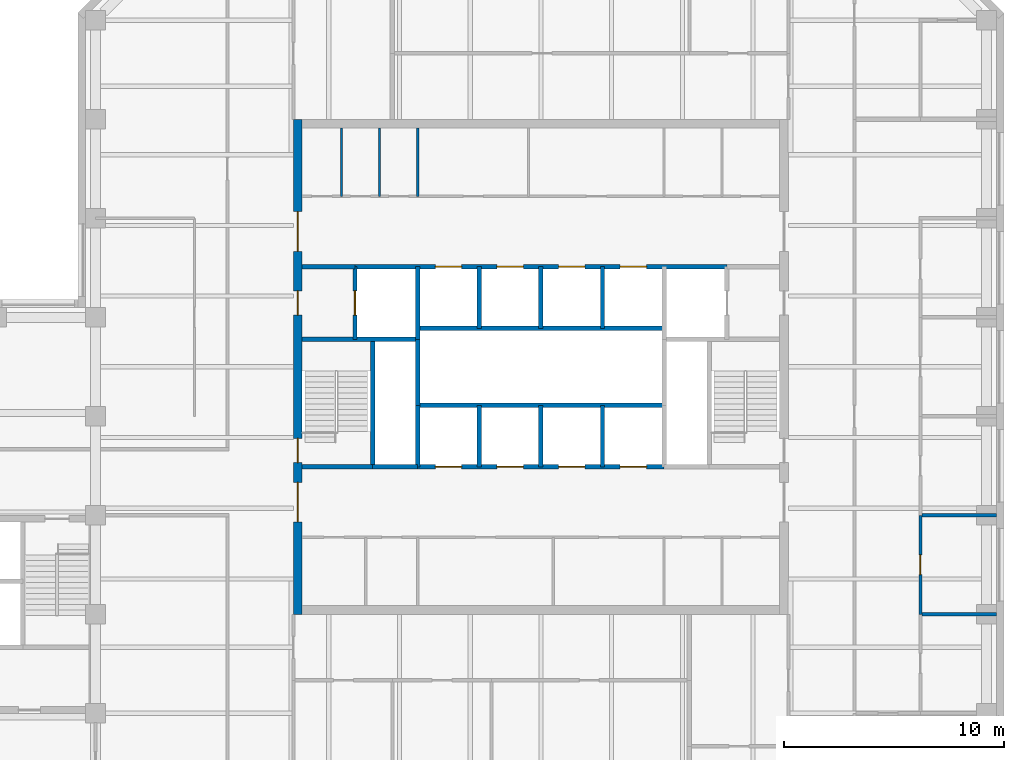
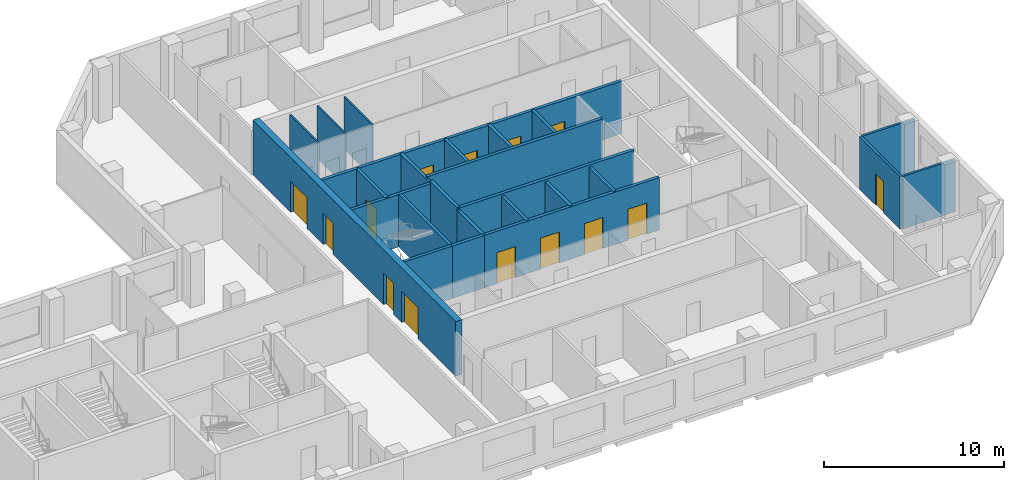
# One storey, part 5 of 9: 26 walls, 14 doors, 14 openings.
"""IFC4 building model written with IfcOpenShell, lengths in metres."""

from ifc_helpers import new_model, si_unit, direction, frame, frame_2d, origin, place, context, subcontext, project, spatial, rectangle, extrude, material, layer, layer_set, type_object, element, fill, save


model = new_model("IFC4")

# Units and contexts
model_context = context("Model", 3, precision=1e-05, world=origin(), true_north=direction((0.0, 1.0)))
body_context = subcontext(model_context, "Body", "Model", "MODEL_VIEW")
ifc_project = project(units=[si_unit("LENGTHUNIT", "METRE"), si_unit("AREAUNIT", "SQUARE_METRE"), si_unit("VOLUMEUNIT", "CUBIC_METRE"), si_unit("PLANEANGLEUNIT", "RADIAN"), si_unit("MASSUNIT", "GRAM", prefix="KILO")], contexts=[model_context])

# Site, building, storey
site_placement = place(None, origin())
site = spatial("IfcSite", under=ifc_project, at=site_placement, CompositionType="ELEMENT")
building_placement = place(site_placement, origin())
building = spatial("IfcBuilding", under=site, at=building_placement, Name="Quoin Convention Tower", CompositionType="ELEMENT")
storey_placement = place(building_placement, frame((0.0, 0.0, 177.300048828125)))
storey = spatial("IfcBuildingStorey", under=building, at=storey_placement, Name="L46", CompositionType="ELEMENT", Elevation=177.300048828125)

# Walls
ifc_material_1 = material(Name="Plasterboard")
ifc_layer_1 = layer(ifc_material_1, 0.012451171875, Name="Finish")
ifc_material_2 = material(Name="Steel stud framing", Category="steel")
ifc_layer_2 = layer(ifc_material_2, 0.125, Name="Structure")
ifc_layer_3 = layer(ifc_material_1, 0.012451171875, Name="Finish")
ifc_layer_set_1 = layer_set([ifc_layer_1, ifc_layer_2, ifc_layer_3], Name="Steel stud framing")
wall_type_1 = type_object("IfcWallType", Name="Acoustic partition 150", PredefinedType="PARTITIONING", material=ifc_layer_set_1)
for number, where, z_axis, x_axis, name in (
    (1, (73.574951171875, 49.5, 0.0), (0.0, 0.0, 1.0), (1.0, 0.0, 0.0), "pw-L46-009"),
    (2, (73.574951171875, 54.0, 0.0), (0.0, 0.0, 1.0), (1.0, 0.0, 0.0), "pw-L46-012"),
):
    element("IfcWall", number, at=place(storey_placement, frame(where, z_axis=z_axis, x_axis=x_axis)), inside=storey, type_object=wall_type_1, Name=name, PredefinedType="PARTITIONING", context=body_context, shape_type="SweptSolid", body=[
        extrude(rectangle(XDim=3.375, YDim=0.14990234375, at=frame_2d((1.6875, 0.0))), origin(), (0.0, 0.0, 1.0), 3.550048828125),
    ])

# Wall, opening, door
wall_1_placement = place(storey_placement, frame((73.5, 49.5, 0.0), z_axis=(0.0, 0.0, 1.0), x_axis=(0.0, 1.0, 0.0)))
wall_1 = element("IfcWall", 3, at=wall_1_placement, inside=storey, type_object=wall_type_1, Name="pw-L46-041", PredefinedType="PARTITIONING", context=body_context, shape_type="SweptSolid", body=[
    extrude(rectangle(XDim=4.5, YDim=0.14990234375, at=frame_2d((2.25, 0.0))), origin(), (0.0, 0.0, 1.0), 3.550048828125),
])
opening_1_placement = place(wall_1_placement, frame((1.800048828125, 0.0, 0.0)))
opening_1 = element("IfcOpeningElement", 4, at=opening_1_placement, cuts=wall_1, Name="Opening DOH5-15", PredefinedType="OPENING", context=body_context, shape_type="SweptSolid", body=[
    extrude(rectangle(XDim=0.89990234375, YDim=2.10009765625, at=frame_2d((0.449951171875, 1.050048828125))), frame((0.0, 0.0849609375, 0.0), z_axis=(0.0, -1.0, 0.0), x_axis=(1.0, 0.0, 0.0)), (0.0, 0.0, 1.0), 0.169921875),
])
ifc_material_3 = material(Name="Steel door leaf", Category="steel")
door_type_1 = type_object("IfcDoorType", Name="Office door 900 x 2100", OperationType="SINGLE_SWING_RIGHT", PredefinedType="DOOR", material=ifc_material_3)
door_1_placement = place(opening_1_placement, origin())
door_1 = element("IfcDoor", 5, at=door_1_placement, inside=storey, type_object=door_type_1, Name="dr-L46-21", OperationType="SINGLE_SWING_RIGHT", OverallHeight=2.10009765625, OverallWidth=0.89990234375, PredefinedType="DOOR", context=body_context, shape_type="SweptSolid", body=[
    extrude(rectangle(XDim=0.89990234375, YDim=2.10009765625, at=frame_2d((0.449951171875, 1.050048828125))), frame((0.0, 0.02490234375, 0.0), z_axis=(0.0, -1.0, 0.0), x_axis=(1.0, 0.0, 0.0)), (0.0, 0.0, 1.0), 0.050048828125),
])
fill(opening_1, door_1)

# Walls
ifc_layer_4 = layer(ifc_material_1, 0.012451171875, Name="Finish")
ifc_layer_5 = layer(ifc_material_2, 0.074951171875, Name="Structure")
ifc_layer_6 = layer(ifc_material_1, 0.012451171875, Name="Finish")
ifc_layer_set_2 = layer_set([ifc_layer_4, ifc_layer_5, ifc_layer_6], Name="Steel stud framing")
wall_type_2 = type_object("IfcWallType", Name="Core partition wall", PredefinedType="PARTITIONING", material=ifc_layer_set_2)
for number, where, z_axis, x_axis, name in (
    (6, (47.18505859375, 68.5, 0.0), (0.0, 0.0, 1.0), (0.0, 1.0, 0.0), "cr-C1-L46-v2185_19000"),
    (7, (48.91748046875, 68.5, 0.0), (0.0, 0.0, 1.0), (0.0, 1.0, 0.0), "cr-C1-L46-v3918_19000"),
    (8, (50.64990234375, 68.5, 0.0), (0.0, 0.0, 1.0), (0.0, 1.0, 0.0), "cr-C1-L46-v5650_19000"),
):
    element("IfcWall", number, at=place(storey_placement, frame(where, z_axis=z_axis, x_axis=x_axis)), inside=storey, type_object=wall_type_2, Name=name, PredefinedType="PARTITIONING", context=body_context, shape_type="SweptSolid", body=[
        extrude(rectangle(XDim=3.10009765625, YDim=0.10009765625, at=frame_2d((1.550048828125, 0.0))), origin(), (0.0, 0.0, 1.0), 3.550048828125),
    ])
ifc_material_4 = material(Name="Concrete C50", Category="concrete")
ifc_layer_7 = layer(ifc_material_4, 0.199951171875)
ifc_layer_set_3 = layer_set([ifc_layer_7], Name="Concrete C50")
wall_type_3 = type_object("IfcWallType", Name="Core shaft wall", PredefinedType="SOLIDWALL", material=ifc_layer_set_3)
wall_2_placement = place(storey_placement, frame((48.60009765625, 56.199951171875, 0.0), z_axis=(0.0, 0.0, 1.0), x_axis=(1.0, 0.0, 0.0)))
element("IfcWall", 9, at=wall_2_placement, inside=storey, type_object=wall_type_3, Name="cr-C1-L46-h6700_3600", PredefinedType="SOLIDWALL", context=body_context, shape_type="SweptSolid", body=[
    extrude(rectangle(XDim=2.0498046875, YDim=0.199951171875, at=frame_2d((1.02490234375, 0.0))), origin(), (0.0, 0.0, 1.0), 3.550048828125),
])
wall_3_placement = place(storey_placement, frame((45.39990234375, 56.199951171875, 0.0), z_axis=(0.0, 0.0, 1.0), x_axis=(1.0, 0.0, 0.0)))
element("IfcWall", 10, at=wall_3_placement, inside=storey, type_object=wall_type_3, Name="cr-C1-L46-h6700_400", PredefinedType="SOLIDWALL", context=body_context, shape_type="SweptSolid", body=[
    extrude(rectangle(XDim=3.2001953125, YDim=0.199951171875, at=frame_2d((1.60009765625, 0.0))), origin(), (0.0, 0.0, 1.0), 3.550048828125),
])

# Wall, openings, doors
wall_4_placement = place(storey_placement, frame((50.64990234375, 56.199951171875, 0.0), z_axis=(0.0, 0.0, 1.0), x_axis=(1.0, 0.0, 0.0)))
wall_4 = element("IfcWall", 11, at=wall_4_placement, inside=storey, type_object=wall_type_3, Name="cr-C1-L46-h6700_5650", PredefinedType="SOLIDWALL", context=body_context, shape_type="SweptSolid", body=[
    extrude(rectangle(XDim=11.2001953125, YDim=0.199951171875, at=frame_2d((5.60009765625, 0.0))), origin(), (0.0, 0.0, 1.0), 3.550048828125),
])
opening_2_placement = place(wall_4_placement, frame((0.800048828125, 0.0, 0.0)))
opening_2 = element("IfcOpeningElement", 12, at=opening_2_placement, cuts=wall_4, Name="Opening LDH1", PredefinedType="OPENING", context=body_context, shape_type="SweptSolid", body=[
    extrude(rectangle(XDim=1.199951171875, YDim=2.10009765625, at=frame_2d((0.60009765625, 1.050048828125))), frame((0.0, 0.10986328125, 0.0), z_axis=(0.0, -1.0, 0.0), x_axis=(1.0, 0.0, 0.0)), (0.0, 0.0, 1.0), 0.219970703125),
])
opening_3_placement = place(wall_4_placement, frame((3.60009765625, 0.0, 0.0)))
opening_3 = element("IfcOpeningElement", 13, at=opening_3_placement, cuts=wall_4, Name="Opening LDH2", PredefinedType="OPENING", context=body_context, shape_type="SweptSolid", body=[
    extrude(rectangle(XDim=1.199951171875, YDim=2.10009765625, at=frame_2d((0.60009765625, 1.050048828125))), frame((0.0, 0.10986328125, 0.0), z_axis=(0.0, -1.0, 0.0), x_axis=(1.0, 0.0, 0.0)), (0.0, 0.0, 1.0), 0.219970703125),
])
opening_4_placement = place(wall_4_placement, frame((6.39990234375, 0.0, 0.0)))
opening_4 = element("IfcOpeningElement", 14, at=opening_4_placement, cuts=wall_4, Name="Opening LDH3", PredefinedType="OPENING", context=body_context, shape_type="SweptSolid", body=[
    extrude(rectangle(XDim=1.199951171875, YDim=2.10009765625, at=frame_2d((0.60009765625, 1.050048828125))), frame((0.0, 0.10986328125, 0.0), z_axis=(0.0, -1.0, 0.0), x_axis=(1.0, 0.0, 0.0)), (0.0, 0.0, 1.0), 0.219970703125),
])
opening_5_placement = place(wall_4_placement, frame((9.199951171875, 0.0, 0.0)))
opening_5 = element("IfcOpeningElement", 15, at=opening_5_placement, cuts=wall_4, Name="Opening LDH4", PredefinedType="OPENING", context=body_context, shape_type="SweptSolid", body=[
    extrude(rectangle(XDim=1.199951171875, YDim=2.10009765625, at=frame_2d((0.60009765625, 1.050048828125))), frame((0.0, 0.10986328125, 0.0), z_axis=(0.0, -1.0, 0.0), x_axis=(1.0, 0.0, 0.0)), (0.0, 0.0, 1.0), 0.219970703125),
])
door_type_2 = type_object("IfcDoorType", Name="Lift landing door 1200 x 2100", OperationType="DOUBLE_DOOR_SLIDING", PredefinedType="DOOR", material=ifc_material_3)
door_2_placement = place(opening_2_placement, origin())
door_2 = element("IfcDoor", 16, at=door_2_placement, inside=storey, type_object=door_type_2, Name="cd-C1-L46-R20-lobA-LDH1", OperationType="DOUBLE_DOOR_SLIDING", OverallHeight=2.10009765625, OverallWidth=1.199951171875, PredefinedType="DOOR", context=body_context, shape_type="SweptSolid", body=[
    extrude(rectangle(XDim=1.199951171875, YDim=2.10009765625, at=frame_2d((0.60009765625, 1.050048828125))), frame((0.0, 0.02490234375, 0.0), z_axis=(0.0, -1.0, 0.0), x_axis=(1.0, 0.0, 0.0)), (0.0, 0.0, 1.0), 0.050048828125),
])
fill(opening_2, door_2)
door_3_placement = place(opening_3_placement, origin())
door_3 = element("IfcDoor", 17, at=door_3_placement, inside=storey, type_object=door_type_2, Name="cd-C1-L46-R21-lobA-LDH2", OperationType="DOUBLE_DOOR_SLIDING", OverallHeight=2.10009765625, OverallWidth=1.199951171875, PredefinedType="DOOR", context=body_context, shape_type="SweptSolid", body=[
    extrude(rectangle(XDim=1.199951171875, YDim=2.10009765625, at=frame_2d((0.60009765625, 1.050048828125))), frame((0.0, 0.02490234375, 0.0), z_axis=(0.0, -1.0, 0.0), x_axis=(1.0, 0.0, 0.0)), (0.0, 0.0, 1.0), 0.050048828125),
])
fill(opening_3, door_3)
door_4_placement = place(opening_4_placement, origin())
door_4 = element("IfcDoor", 18, at=door_4_placement, inside=storey, type_object=door_type_2, Name="cd-C1-L46-R22-lobA-LDH3", OperationType="DOUBLE_DOOR_SLIDING", OverallHeight=2.10009765625, OverallWidth=1.199951171875, PredefinedType="DOOR", context=body_context, shape_type="SweptSolid", body=[
    extrude(rectangle(XDim=1.199951171875, YDim=2.10009765625, at=frame_2d((0.60009765625, 1.050048828125))), frame((0.0, 0.02490234375, 0.0), z_axis=(0.0, -1.0, 0.0), x_axis=(1.0, 0.0, 0.0)), (0.0, 0.0, 1.0), 0.050048828125),
])
fill(opening_4, door_4)
door_5_placement = place(opening_5_placement, origin())
door_5 = element("IfcDoor", 19, at=door_5_placement, inside=storey, type_object=door_type_2, Name="cd-C1-L46-R23-lobA-LDH4", OperationType="DOUBLE_DOOR_SLIDING", OverallHeight=2.10009765625, OverallWidth=1.199951171875, PredefinedType="DOOR", context=body_context, shape_type="SweptSolid", body=[
    extrude(rectangle(XDim=1.199951171875, YDim=2.10009765625, at=frame_2d((0.60009765625, 1.050048828125))), frame((0.0, 0.02490234375, 0.0), z_axis=(0.0, -1.0, 0.0), x_axis=(1.0, 0.0, 0.0)), (0.0, 0.0, 1.0), 0.050048828125),
])
fill(opening_5, door_5)

# Walls
wall_5_placement = place(storey_placement, frame((45.39990234375, 62.0, 0.0), z_axis=(0.0, 0.0, 1.0), x_axis=(1.0, 0.0, 0.0)))
element("IfcWall", 20, at=wall_5_placement, inside=storey, type_object=wall_type_3, Name="cr-C1-L46-h12500_400", PredefinedType="SOLIDWALL", context=body_context, shape_type="SweptSolid", body=[
    extrude(rectangle(XDim=5.25, YDim=0.199951171875, at=frame_2d((2.625, 0.0))), origin(), (0.0, 0.0, 1.0), 3.550048828125),
])
wall_6_placement = place(storey_placement, frame((45.39990234375, 65.300048828125, 0.0), z_axis=(0.0, 0.0, 1.0), x_axis=(1.0, 0.0, 0.0)))
element("IfcWall", 21, at=wall_6_placement, inside=storey, type_object=wall_type_3, Name="cr-C1-L46-h15800_400", PredefinedType="SOLIDWALL", context=body_context, shape_type="SweptSolid", body=[
    extrude(rectangle(XDim=2.400146484375, YDim=0.199951171875, at=frame_2d((1.2001953125, 0.0))), origin(), (0.0, 0.0, 1.0), 3.550048828125),
])

# Wall, openings, doors
wall_7_placement = place(storey_placement, frame((47.800048828125, 65.300048828125, 0.0), z_axis=(0.0, 0.0, 1.0), x_axis=(1.0, 0.0, 0.0)))
wall_7 = element("IfcWall", 22, at=wall_7_placement, inside=storey, type_object=wall_type_3, Name="cr-C1-L46-h15800_2800", PredefinedType="SOLIDWALL", context=body_context, shape_type="SweptSolid", body=[
    extrude(rectangle(XDim=16.89990234375, YDim=0.199951171875, at=frame_2d((8.449951171875, 0.0))), origin(), (0.0, 0.0, 1.0), 3.550048828125),
])
opening_6_placement = place(wall_7_placement, frame((3.64990234375, 0.0, 0.0)))
opening_6 = element("IfcOpeningElement", 23, at=opening_6_placement, cuts=wall_7, Name="Opening LDH5", PredefinedType="OPENING", context=body_context, shape_type="SweptSolid", body=[
    extrude(rectangle(XDim=1.199951171875, YDim=2.10009765625, at=frame_2d((0.60009765625, 1.050048828125))), frame((0.0, 0.10986328125, 0.0), z_axis=(0.0, -1.0, 0.0), x_axis=(1.0, 0.0, 0.0)), (0.0, 0.0, 1.0), 0.219970703125),
])
opening_7_placement = place(wall_7_placement, frame((6.449951171875, 0.0, 0.0)))
opening_7 = element("IfcOpeningElement", 24, at=opening_7_placement, cuts=wall_7, Name="Opening LDH6", PredefinedType="OPENING", context=body_context, shape_type="SweptSolid", body=[
    extrude(rectangle(XDim=1.199951171875, YDim=2.10009765625, at=frame_2d((0.60009765625, 1.050048828125))), frame((0.0, 0.10986328125, 0.0), z_axis=(0.0, -1.0, 0.0), x_axis=(1.0, 0.0, 0.0)), (0.0, 0.0, 1.0), 0.219970703125),
])
opening_8_placement = place(wall_7_placement, frame((9.25, 0.0, 0.0)))
opening_8 = element("IfcOpeningElement", 25, at=opening_8_placement, cuts=wall_7, Name="Opening LDH7", PredefinedType="OPENING", context=body_context, shape_type="SweptSolid", body=[
    extrude(rectangle(XDim=1.199951171875, YDim=2.10009765625, at=frame_2d((0.60009765625, 1.050048828125))), frame((0.0, 0.10986328125, 0.0), z_axis=(0.0, -1.0, 0.0), x_axis=(1.0, 0.0, 0.0)), (0.0, 0.0, 1.0), 0.219970703125),
])
opening_9_placement = place(wall_7_placement, frame((12.050048828125, 0.0, 0.0)))
opening_9 = element("IfcOpeningElement", 26, at=opening_9_placement, cuts=wall_7, Name="Opening LDH8", PredefinedType="OPENING", context=body_context, shape_type="SweptSolid", body=[
    extrude(rectangle(XDim=1.199951171875, YDim=2.10009765625, at=frame_2d((0.60009765625, 1.050048828125))), frame((0.0, 0.10986328125, 0.0), z_axis=(0.0, -1.0, 0.0), x_axis=(1.0, 0.0, 0.0)), (0.0, 0.0, 1.0), 0.219970703125),
])
door_6_placement = place(opening_6_placement, origin())
door_6 = element("IfcDoor", 27, at=door_6_placement, inside=storey, type_object=door_type_2, Name="cd-C1-L46-R30-lobB-LDH5", OperationType="DOUBLE_DOOR_SLIDING", OverallHeight=2.10009765625, OverallWidth=1.199951171875, PredefinedType="DOOR", context=body_context, shape_type="SweptSolid", body=[
    extrude(rectangle(XDim=1.199951171875, YDim=2.10009765625, at=frame_2d((0.60009765625, 1.050048828125))), frame((0.0, 0.02490234375, 0.0), z_axis=(0.0, -1.0, 0.0), x_axis=(1.0, 0.0, 0.0)), (0.0, 0.0, 1.0), 0.050048828125),
])
fill(opening_6, door_6)
door_7_placement = place(opening_7_placement, origin())
door_7 = element("IfcDoor", 28, at=door_7_placement, inside=storey, type_object=door_type_2, Name="cd-C1-L46-R31-lobB-LDH6", OperationType="DOUBLE_DOOR_SLIDING", OverallHeight=2.10009765625, OverallWidth=1.199951171875, PredefinedType="DOOR", context=body_context, shape_type="SweptSolid", body=[
    extrude(rectangle(XDim=1.199951171875, YDim=2.10009765625, at=frame_2d((0.60009765625, 1.050048828125))), frame((0.0, 0.02490234375, 0.0), z_axis=(0.0, -1.0, 0.0), x_axis=(1.0, 0.0, 0.0)), (0.0, 0.0, 1.0), 0.050048828125),
])
fill(opening_7, door_7)
door_8_placement = place(opening_8_placement, origin())
door_8 = element("IfcDoor", 29, at=door_8_placement, inside=storey, type_object=door_type_2, Name="cd-C1-L46-R32-lobB-LDH7", OperationType="DOUBLE_DOOR_SLIDING", OverallHeight=2.10009765625, OverallWidth=1.199951171875, PredefinedType="DOOR", context=body_context, shape_type="SweptSolid", body=[
    extrude(rectangle(XDim=1.199951171875, YDim=2.10009765625, at=frame_2d((0.60009765625, 1.050048828125))), frame((0.0, 0.02490234375, 0.0), z_axis=(0.0, -1.0, 0.0), x_axis=(1.0, 0.0, 0.0)), (0.0, 0.0, 1.0), 0.050048828125),
])
fill(opening_8, door_8)
door_9_placement = place(opening_9_placement, origin())
door_9 = element("IfcDoor", 30, at=door_9_placement, inside=storey, type_object=door_type_2, Name="cd-C1-L46-R33-lobB-LDH8", OperationType="DOUBLE_DOOR_SLIDING", OverallHeight=2.10009765625, OverallWidth=1.199951171875, PredefinedType="DOOR", context=body_context, shape_type="SweptSolid", body=[
    extrude(rectangle(XDim=1.199951171875, YDim=2.10009765625, at=frame_2d((0.60009765625, 1.050048828125))), frame((0.0, 0.02490234375, 0.0), z_axis=(0.0, -1.0, 0.0), x_axis=(1.0, 0.0, 0.0)), (0.0, 0.0, 1.0), 0.050048828125),
])
fill(opening_9, door_9)

# Wall, opening, door
wall_8_placement = place(storey_placement, frame((47.800048828125, 62.0, 0.0), z_axis=(0.0, 0.0, 1.0), x_axis=(0.0, 1.0, 0.0)))
wall_8 = element("IfcWall", 31, at=wall_8_placement, inside=storey, type_object=wall_type_3, Name="cr-C1-L46-v2800_12500", PredefinedType="SOLIDWALL", context=body_context, shape_type="SweptSolid", body=[
    extrude(rectangle(XDim=3.300048828125, YDim=0.199951171875, at=frame_2d((1.64990234375, 0.0))), origin(), (0.0, 0.0, 1.0), 3.550048828125),
])
opening_10_placement = place(wall_8_placement, frame((1.10009765625, 0.0, 0.0)))
opening_10 = element("IfcOpeningElement", 32, at=opening_10_placement, cuts=wall_8, Name="Opening LDFL1", PredefinedType="OPENING", context=body_context, shape_type="SweptSolid", body=[
    extrude(rectangle(XDim=1.10009765625, YDim=2.10009765625, at=frame_2d((0.550048828125, 1.050048828125))), frame((0.0, 0.10986328125, 0.0), z_axis=(0.0, -1.0, 0.0), x_axis=(1.0, 0.0, 0.0)), (0.0, 0.0, 1.0), 0.219970703125),
])
door_type_3 = type_object("IfcDoorType", Name="Lift landing door 1100 x 2100", OperationType="DOUBLE_DOOR_SLIDING", PredefinedType="DOOR", material=ifc_material_3)
door_10_placement = place(opening_10_placement, origin())
door_10 = element("IfcDoor", 33, at=door_10_placement, inside=storey, type_object=door_type_3, Name="cd-C1-L46-FLW-FFW-LDFL1", OperationType="DOUBLE_DOOR_SLIDING", OverallHeight=2.10009765625, OverallWidth=1.10009765625, PredefinedType="DOOR", context=body_context, shape_type="SweptSolid", body=[
    extrude(rectangle(XDim=1.10009765625, YDim=2.10009765625, at=frame_2d((0.550048828125, 1.050048828125))), frame((0.0, 0.02490234375, 0.0), z_axis=(0.0, -1.0, 0.0), x_axis=(1.0, 0.0, 0.0)), (0.0, 0.0, 1.0), 0.050048828125),
])
fill(opening_10, door_10)

# Walls
wall_9_placement = place(storey_placement, frame((48.60009765625, 56.199951171875, 0.0), z_axis=(0.0, 0.0, 1.0), x_axis=(0.0, 1.0, 0.0)))
element("IfcWall", 34, at=wall_9_placement, inside=storey, type_object=wall_type_3, Name="cr-C1-L46-v3600_6700", PredefinedType="SOLIDWALL", context=body_context, shape_type="SweptSolid", body=[
    extrude(rectangle(XDim=5.800048828125, YDim=0.199951171875, at=frame_2d((2.89990234375, 0.0))), origin(), (0.0, 0.0, 1.0), 3.550048828125),
])
wall_10_placement = place(storey_placement, frame((50.64990234375, 56.199951171875, 0.0), z_axis=(0.0, 0.0, 1.0), x_axis=(0.0, 1.0, 0.0)))
element("IfcWall", 35, at=wall_10_placement, inside=storey, type_object=wall_type_3, Name="cr-C1-L46-v5650_6700", PredefinedType="SOLIDWALL", context=body_context, shape_type="SweptSolid", body=[
    extrude(rectangle(XDim=2.800048828125, YDim=0.199951171875, at=frame_2d((1.39990234375, 0.0))), origin(), (0.0, 0.0, 1.0), 3.550048828125),
])
wall_11_placement = place(storey_placement, frame((50.64990234375, 62.0, 0.0), z_axis=(0.0, 0.0, 1.0), x_axis=(0.0, 1.0, 0.0)))
element("IfcWall", 36, at=wall_11_placement, inside=storey, type_object=wall_type_3, Name="cr-C1-L46-v5650_12500", PredefinedType="SOLIDWALL", context=body_context, shape_type="SweptSolid", body=[
    extrude(rectangle(XDim=3.300048828125, YDim=0.199951171875, at=frame_2d((1.64990234375, 0.0))), origin(), (0.0, 0.0, 1.0), 3.550048828125),
])
for number, where, z_axis, x_axis, name in (
    (37, (53.449951171875, 56.199951171875, 0.0), (0.0, 0.0, 1.0), (0.0, 1.0, 0.0), "cr-C1-L46-v8450_6700"),
    (38, (53.449951171875, 62.5, 0.0), (0.0, 0.0, 1.0), (0.0, 1.0, 0.0), "cr-C1-L46-v8450_13000"),
    (39, (56.25, 56.199951171875, 0.0), (0.0, 0.0, 1.0), (0.0, 1.0, 0.0), "cr-C1-L46-v11250_6700"),
    (40, (56.25, 62.5, 0.0), (0.0, 0.0, 1.0), (0.0, 1.0, 0.0), "cr-C1-L46-v11250_13000"),
    (41, (59.050048828125, 56.199951171875, 0.0), (0.0, 0.0, 1.0), (0.0, 1.0, 0.0), "cr-C1-L46-v14050_6700"),
    (42, (59.050048828125, 62.5, 0.0), (0.0, 0.0, 1.0), (0.0, 1.0, 0.0), "cr-C1-L46-v14050_13000"),
):
    element("IfcWall", number, at=place(storey_placement, frame(where, z_axis=z_axis, x_axis=x_axis)), inside=storey, type_object=wall_type_3, Name=name, PredefinedType="SOLIDWALL", context=body_context, shape_type="SweptSolid", body=[
        extrude(rectangle(XDim=2.800048828125, YDim=0.199951171875, at=frame_2d((1.39990234375, 0.0))), origin(), (0.0, 0.0, 1.0), 3.550048828125),
    ])
ifc_layer_8 = layer(ifc_material_4, 0.199951171875)
ifc_layer_set_4 = layer_set([ifc_layer_8], Name="Concrete C50")
wall_type_4 = type_object("IfcWallType", Name="Core shaft wall to the floor level over", PredefinedType="SOLIDWALL", material=ifc_layer_set_4)
for number, where, z_axis, x_axis, name in (
    (43, (50.64990234375, 59.0, 0.0), (0.0, 0.0, 1.0), (1.0, 0.0, 0.0), "cr-C1-L46-h9500_5650"),
    (44, (50.64990234375, 62.5, 0.0), (0.0, 0.0, 1.0), (1.0, 0.0, 0.0), "cr-C1-L46-h13000_5650"),
):
    element("IfcWall", number, at=place(storey_placement, frame(where, z_axis=z_axis, x_axis=x_axis)), inside=storey, type_object=wall_type_4, Name=name, PredefinedType="SOLIDWALL", context=body_context, shape_type="SweptSolid", body=[
        extrude(rectangle(XDim=11.2001953125, YDim=0.199951171875, at=frame_2d((5.60009765625, 0.0))), origin(), (0.0, 0.0, 1.0), 3.699951171875),
    ])
wall_12_placement = place(storey_placement, frame((50.64990234375, 59.0, 0.0), z_axis=(0.0, 0.0, 1.0), x_axis=(0.0, 1.0, 0.0)))
element("IfcWall", 45, at=wall_12_placement, inside=storey, type_object=wall_type_4, Name="cr-C1-L46-v5650_9500", PredefinedType="SOLIDWALL", context=body_context, shape_type="SweptSolid", body=[
    extrude(rectangle(XDim=3.0, YDim=0.199951171875, at=frame_2d((1.5, 0.0))), origin(), (0.0, 0.0, 1.0), 3.699951171875),
])

# Wall, openings, doors
ifc_layer_9 = layer(ifc_material_4, 0.39990234375)
ifc_layer_set_5 = layer_set([ifc_layer_9], Name="Concrete C50")
wall_type_5 = type_object("IfcWallType", Name="RC CORE WALL 400 C50", PredefinedType="SHEAR", material=ifc_layer_set_5)
wall_13_placement = place(storey_placement, frame((45.199951171875, 49.5, 0.0), z_axis=(0.0, 0.0, 1.0), x_axis=(0.0, 1.0, 0.0)))
wall_13 = element("IfcWall", 46, at=wall_13_placement, inside=storey, type_object=wall_type_5, Name="cwl-C1-L46-W", PredefinedType="SHEAR", context=body_context, shape_type="SweptSolid", body=[
    extrude(rectangle(XDim=22.5, YDim=0.39990234375, at=frame_2d((11.25, 0.0))), origin(), (0.0, 0.0, 1.0), 3.699951171875),
])
opening_11_placement = place(wall_13_placement, frame((4.199951171875, 0.0, 0.0)))
opening_11 = element("IfcOpeningElement", 47, at=opening_11_placement, cuts=wall_13, Name="Opening DCV4-41", PredefinedType="OPENING", context=body_context, shape_type="SweptSolid", body=[
    extrude(rectangle(XDim=1.800048828125, YDim=2.10009765625, at=frame_2d((0.89990234375, 1.050048828125))), frame((0.0, 0.2099609375, 0.0), z_axis=(0.0, -1.0, 0.0), x_axis=(1.0, 0.0, 0.0)), (0.0, 0.0, 1.0), 0.419921875),
])
opening_12_placement = place(wall_13_placement, frame((6.89990234375, 0.0, 0.0)))
opening_12 = element("IfcOpeningElement", 48, at=opening_12_placement, cuts=wall_13, Name="Opening SD1", PredefinedType="OPENING", context=body_context, shape_type="SweptSolid", body=[
    extrude(rectangle(XDim=1.10009765625, YDim=2.10009765625, at=frame_2d((0.550048828125, 1.050048828125))), frame((0.0, 0.2099609375, 0.0), z_axis=(0.0, -1.0, 0.0), x_axis=(1.0, 0.0, 0.0)), (0.0, 0.0, 1.0), 0.419921875),
])
opening_13_placement = place(wall_13_placement, frame((13.60009765625, 0.0, 0.0)))
opening_13 = element("IfcOpeningElement", 49, at=opening_13_placement, cuts=wall_13, Name="Opening DCV4-40", PredefinedType="OPENING", context=body_context, shape_type="SweptSolid", body=[
    extrude(rectangle(XDim=1.10009765625, YDim=2.10009765625, at=frame_2d((0.550048828125, 1.050048828125))), frame((0.0, 0.2099609375, 0.0), z_axis=(0.0, -1.0, 0.0), x_axis=(1.0, 0.0, 0.0)), (0.0, 0.0, 1.0), 0.419921875),
])
opening_14_placement = place(wall_13_placement, frame((16.5, 0.0, 0.0)))
opening_14 = element("IfcOpeningElement", 50, at=opening_14_placement, cuts=wall_13, Name="Opening DCV4-41", PredefinedType="OPENING", context=body_context, shape_type="SweptSolid", body=[
    extrude(rectangle(XDim=1.800048828125, YDim=2.10009765625, at=frame_2d((0.89990234375, 1.050048828125))), frame((0.0, 0.2099609375, 0.0), z_axis=(0.0, -1.0, 0.0), x_axis=(1.0, 0.0, 0.0)), (0.0, 0.0, 1.0), 0.419921875),
])
door_type_4 = type_object("IfcDoorType", Name="Fire-fighting lobby door 1100 x 2100", OperationType="SINGLE_SWING_LEFT", PredefinedType="DOOR", material=ifc_material_3)
door_11_placement = place(opening_13_placement, frame((1.10009765625, 0.0, 0.0), z_axis=(0.0, 0.0, 1.0), x_axis=(-1.0, 0.0, 0.0)))
door_11 = element("IfcDoor", 51, at=door_11_placement, inside=storey, type_object=door_type_4, Name="cd-C1-L46-FFW-W", OperationType="SINGLE_SWING_LEFT", OverallHeight=2.10009765625, OverallWidth=1.10009765625, PredefinedType="DOOR", context=body_context, shape_type="SweptSolid", body=[
    extrude(rectangle(XDim=1.10009765625, YDim=2.10009765625, at=frame_2d((0.550048828125, 1.050048828125))), frame((0.0, 0.02490234375, 0.0), z_axis=(0.0, -1.0, 0.0), x_axis=(1.0, 0.0, 0.0)), (0.0, 0.0, 1.0), 0.050048828125),
])
fill(opening_13, door_11)
door_type_5 = type_object("IfcDoorType", Name="Lift lobby door 1800 x 2100", OperationType="SINGLE_SWING_LEFT", PredefinedType="DOOR", material=ifc_material_3)
door_12_placement = place(opening_11_placement, frame((1.800048828125, 0.0, 0.0), z_axis=(0.0, 0.0, 1.0), x_axis=(-1.0, 0.0, 0.0)))
door_12 = element("IfcDoor", 52, at=door_12_placement, inside=storey, type_object=door_type_5, Name="cd-C1-L46-lobA-W", OperationType="SINGLE_SWING_LEFT", OverallHeight=2.10009765625, OverallWidth=1.800048828125, PredefinedType="DOOR", context=body_context, shape_type="SweptSolid", body=[
    extrude(rectangle(XDim=1.800048828125, YDim=2.10009765625, at=frame_2d((0.89990234375, 1.050048828125))), frame((0.0, 0.02490234375, 0.0), z_axis=(0.0, -1.0, 0.0), x_axis=(1.0, 0.0, 0.0)), (0.0, 0.0, 1.0), 0.050048828125),
])
fill(opening_11, door_12)
door_13_placement = place(opening_14_placement, frame((1.800048828125, 0.0, 0.0), z_axis=(0.0, 0.0, 1.0), x_axis=(-1.0, 0.0, 0.0)))
door_13 = element("IfcDoor", 53, at=door_13_placement, inside=storey, type_object=door_type_5, Name="cd-C1-L46-lobB-W", OperationType="SINGLE_SWING_LEFT", OverallHeight=2.10009765625, OverallWidth=1.800048828125, PredefinedType="DOOR", context=body_context, shape_type="SweptSolid", body=[
    extrude(rectangle(XDim=1.800048828125, YDim=2.10009765625, at=frame_2d((0.89990234375, 1.050048828125))), frame((0.0, 0.02490234375, 0.0), z_axis=(0.0, -1.0, 0.0), x_axis=(1.0, 0.0, 0.0)), (0.0, 0.0, 1.0), 0.050048828125),
])
fill(opening_14, door_13)
door_type_6 = type_object("IfcDoorType", Name="Stair door 1100 x 2100", OperationType="SINGLE_SWING_RIGHT", PredefinedType="DOOR", material=ifc_material_3)
door_14_placement = place(opening_12_placement, frame((1.10009765625, 0.0, 0.0), z_axis=(0.0, 0.0, 1.0), x_axis=(-1.0, 0.0, 0.0)))
door_14 = element("IfcDoor", 54, at=door_14_placement, inside=storey, type_object=door_type_6, Name="cd-C1-L46-STW-W", OperationType="SINGLE_SWING_RIGHT", OverallHeight=2.10009765625, OverallWidth=1.10009765625, PredefinedType="DOOR", context=body_context, shape_type="SweptSolid", body=[
    extrude(rectangle(XDim=1.10009765625, YDim=2.10009765625, at=frame_2d((0.550048828125, 1.050048828125))), frame((0.0, 0.02490234375, 0.0), z_axis=(0.0, -1.0, 0.0), x_axis=(1.0, 0.0, 0.0)), (0.0, 0.0, 1.0), 0.050048828125),
])
fill(opening_12, door_14)

save(model, "model.ifc")
